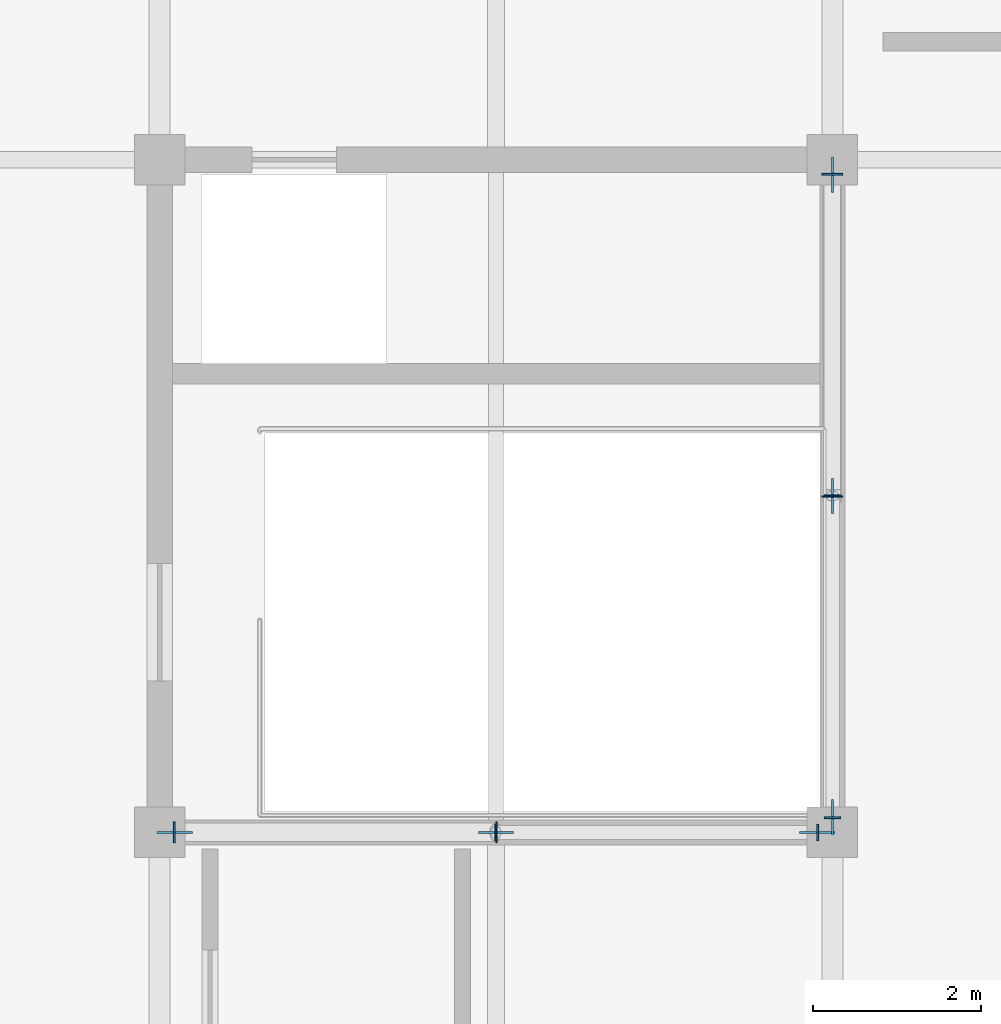
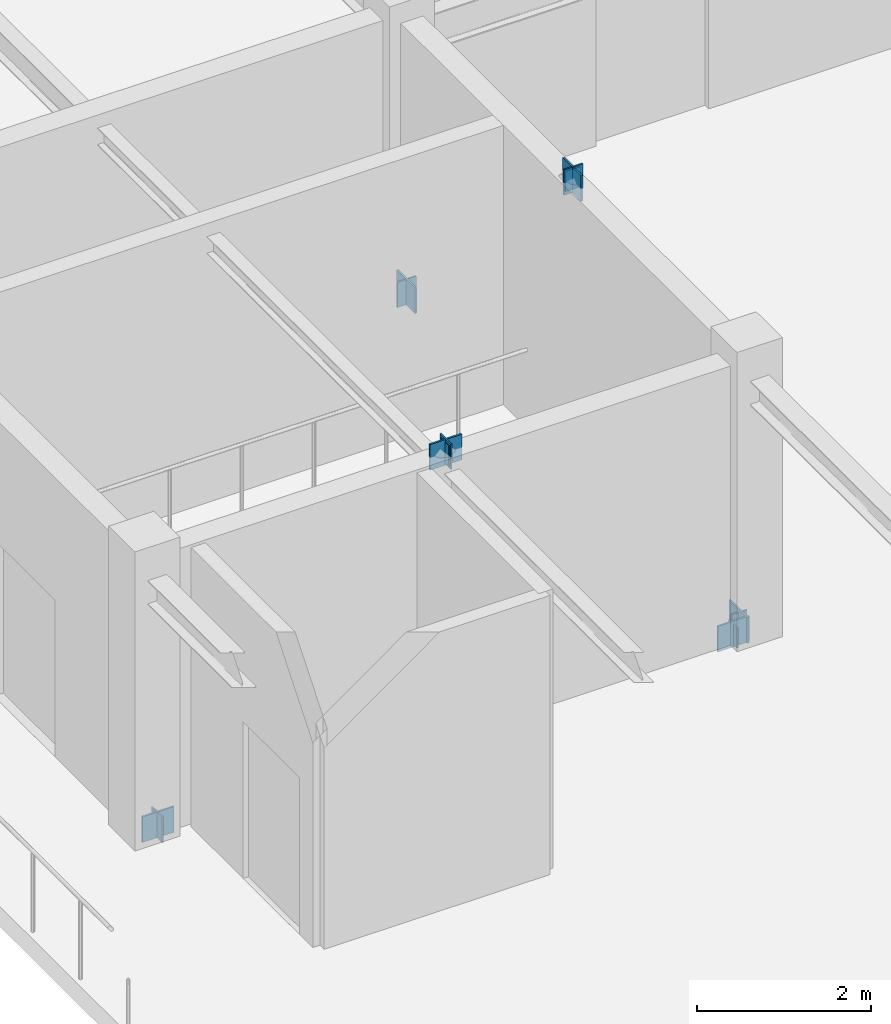
# One storey, part 66 of 88: 14 plates.
"""IFC4 building model written with IfcOpenShell, lengths in metres."""

import ifcopenshell
import ifcopenshell.guid

model = None  # the IFC model being written
_history = None  # IfcOwnerHistory: only IFC2X3 demands one
_inside = {}  # id of a spatial element -> (the spatial element, [elements in it])
_under = {}  # id of a project, library or spatial element -> (it, [spatial elements below it])
_declared = {}  # id of a project -> (the project, [libraries it declares])
_typed = {}  # id of a type object -> (the type object, [elements of that type])
_made_of = {}  # id of a material, layer set ... -> (it, [elements and type objects made of it])


def new_model(schema):
    """Start an empty IFC model of exactly this schema.

    Asked for "IFC4X3", IfcOpenShell would pick the latest addendum, in which some entities
    have other attributes; the version numbers below select the first issue.
    IFC2X3 requires an IfcOwnerHistory on every rooted entity: one is made here for all.
    """
    global model, _history
    if schema == "IFC4X3":
        model = ifcopenshell.file(schema_version=(4, 3, 0, 0))
    else:
        model = ifcopenshell.file(schema=schema)
    _inside.clear()
    _under.clear()
    _declared.clear()
    _typed.clear()
    _made_of.clear()
    _history = None
    if model.schema == "IFC2X3":
        org = make("IfcOrganization", Name="unknown")
        user = make(
            "IfcPersonAndOrganization",
            ThePerson=make("IfcPerson", FamilyName="unknown"),
            TheOrganization=org,
        )
        app = make(
            "IfcApplication",
            ApplicationDeveloper=org,
            Version="unknown",
            ApplicationFullName="unknown",
            ApplicationIdentifier="unknown",
        )
        _history = make(
            "IfcOwnerHistory",
            OwningUser=user,
            OwningApplication=app,
            ChangeAction="ADDED",
            CreationDate=0,
        )
    return model


def make(cls, **values):
    """One entity of the class cls with the attributes given. An attribute that is None is left unset."""
    return model.create_entity(
        cls, **{name: value for name, value in values.items() if value is not None}
    )


def rooted(cls, **values):
    """An entity with a GlobalId (a new one), such as an element, a storey or a relation."""
    return make(cls, GlobalId=ifcopenshell.guid.new(), OwnerHistory=_history, **values)


def si_unit(unit_type, name, prefix=None):
    """IfcSIUnit, for example si_unit("LENGTHUNIT", "METRE", prefix="MILLI")."""
    return make("IfcSIUnit", UnitType=unit_type, Prefix=prefix, Name=name)


def assignment(units):
    """IfcUnitAssignment: the units of a project."""
    return None if units is None else make("IfcUnitAssignment", Units=units)


def point(xyz):
    """IfcCartesianPoint."""
    return None if xyz is None else make("IfcCartesianPoint", Coordinates=xyz)


def direction(xyz):
    """IfcDirection."""
    return None if xyz is None else make("IfcDirection", DirectionRatios=xyz)


def frame(location, z_axis=None, x_axis=None):
    """IfcAxis2Placement3D, a coordinate frame: its origin and axes. An axis left out is left unset."""
    return make(
        "IfcAxis2Placement3D",
        Location=point(location),
        Axis=direction(z_axis),
        RefDirection=direction(x_axis),
    )


def frame_2d(location, x_axis=None):
    """IfcAxis2Placement2D, a coordinate frame in the plane: its origin and x axis."""
    return make(
        "IfcAxis2Placement2D", Location=point(location), RefDirection=direction(x_axis)
    )


def origin():
    """The frame at (0, 0, 0) with its axes left unset."""
    return frame((0.0, 0.0, 0.0))


def origin_2d():
    """The frame at (0, 0) in the plane with its x axis left unset."""
    return frame_2d((0.0, 0.0))


def place(relative_to, where):
    """IfcLocalPlacement: puts the frame where relative to a parent placement (None: the world)."""
    return make(
        "IfcLocalPlacement", PlacementRelTo=relative_to, RelativePlacement=where
    )


def context(
    kind, dimensions, precision=None, world=None, true_north=None, identifier=None
):
    """IfcGeometricRepresentationContext, for example the 3D "Model" context."""
    return make(
        "IfcGeometricRepresentationContext",
        ContextIdentifier=identifier,
        ContextType=kind,
        CoordinateSpaceDimension=dimensions,
        Precision=precision,
        WorldCoordinateSystem=world,
        TrueNorth=true_north,
    )


def subcontext(parent, identifier, kind, view, scale=None):
    """IfcGeometricRepresentationSubContext, for example "Body" below "Model"."""
    return make(
        "IfcGeometricRepresentationSubContext",
        ContextIdentifier=identifier,
        ContextType=kind,
        ParentContext=parent,
        TargetScale=scale,
        TargetView=view,
    )


def project(units=None, contexts=None):
    """IfcProject with its units and contexts."""
    return rooted(
        "IfcProject",
        Name="project",
        RepresentationContexts=contexts,
        UnitsInContext=assignment(units),
    )


def spatial(cls, under=None, at=None, **own):
    """A site, building, storey or space (cls), placed at a placement, below another one or the project."""
    s = rooted(cls, ObjectPlacement=at, **own)
    if under is not None:
        _under.setdefault(under.id(), (under, []))[1].append(s)
    return s


def profile(cls, at=None, kind="AREA", **sizes):
    """A parametric profile (cls). Its sizes go by their IFC names, for example OverallWidth=200.0."""
    return make(cls, ProfileType=kind, Position=at, **sizes)


def rectangle(**sizes):
    """IfcRectangleProfileDef."""
    return profile("IfcRectangleProfileDef", **sizes)


def extrude(swept, where, along, depth):
    """IfcExtrudedAreaSolid: the profile swept, set in the frame where, extruded along a direction by depth."""
    return make(
        "IfcExtrudedAreaSolid",
        SweptArea=swept,
        Position=where,
        ExtrudedDirection=direction(along),
        Depth=depth,
    )


def shape(context_of_items, identifier, shape_type, items):
    """IfcShapeRepresentation: the items that make up one representation, for example the "Body"."""
    return make(
        "IfcShapeRepresentation",
        ContextOfItems=context_of_items,
        RepresentationIdentifier=identifier,
        RepresentationType=shape_type,
        Items=items,
    )


def material(Name=None, Category=None):
    """IfcMaterial."""
    return make("IfcMaterial", Name=Name, Category=Category)


def layer(
    of_material, thickness, ventilated=None, Name=None, Category=None, Priority=None
):
    """IfcMaterialLayer: one layer of a wall or slab, of a material (None: an air gap)."""
    return make(
        "IfcMaterialLayer",
        Material=of_material,
        LayerThickness=thickness,
        IsVentilated=ventilated,
        Name=Name,
        Category=Category,
        Priority=Priority,
    )


def layer_set(layers, Name=None):
    """IfcMaterialLayerSet."""
    return make("IfcMaterialLayerSet", MaterialLayers=layers, LayerSetName=Name)


def made_of(thing, what):
    """Note that an element or type object is made of a material, layer set ...; save() writes the relation."""
    if what is not None:
        _made_of.setdefault(what.id(), (what, []))[1].append(thing)
    return thing


def type_object(cls, material=None, **own):
    """A type object (cls), such as IfcWallType, which elements share."""
    return made_of(rooted(cls, **own), material)


def element(
    cls,
    number,
    at=None,
    inside=None,
    cuts=None,
    type_object=None,
    material=None,
    context=None,
    identifier="Body",
    shape_type=None,
    held_by="IfcProductDefinitionShape",
    body=None,
    shapes=None,
    **own,
):
    """One element of the class cls, such as IfcWall. Its Tag is "e" and its number.

    at: its placement. inside: the storey or other place that contains it. cuts: it is an
    opening in that element (IfcRelVoidsElement). A single representation is given by context,
    identifier, shape_type and body (its items); several are given by shapes. held_by: the class
    of the entity that holds the representations. save() writes the other relations.
    """
    e = rooted(cls, Tag="e%d" % number, ObjectPlacement=at, **own)
    if body is not None:
        shapes = [shape(context, identifier, shape_type, body)]
    if shapes is not None:
        e.Representation = make(held_by, Representations=shapes)
    if inside is not None:
        _inside.setdefault(inside.id(), (inside, []))[1].append(e)
    if cuts is not None:
        rooted(
            "IfcRelVoidsElement", RelatingBuildingElement=cuts, RelatedOpeningElement=e
        )
    if type_object is not None:
        _typed.setdefault(type_object.id(), (type_object, []))[1].append(e)
    return made_of(e, material)


def aggregate(whole, parts):
    """IfcRelAggregates: a whole, such as a stair, and the parts it consists of."""
    return rooted("IfcRelAggregates", RelatingObject=whole, RelatedObjects=parts)


def save(model, path):
    """Write the relations noted so far, then the file.

    IfcRelAggregates (storeys below a building ...), IfcRelContainedInSpatialStructure (elements
    in a storey), IfcRelDefinesByType, IfcRelAssociatesMaterial and IfcRelDeclares: one each for
    every whole, place, type object, material and project.
    """
    for whole, parts in _under.values():
        aggregate(whole, parts)
    for where, things in _inside.values():
        rooted(
            "IfcRelContainedInSpatialStructure",
            RelatedElements=things,
            RelatingStructure=where,
        )
    for kind, things in _typed.values():
        rooted("IfcRelDefinesByType", RelatedObjects=things, RelatingType=kind)
    for what, things in _made_of.values():
        rooted("IfcRelAssociatesMaterial", RelatedObjects=things, RelatingMaterial=what)
    for by, libraries in _declared.values():
        rooted("IfcRelDeclares", RelatingContext=by, RelatedDefinitions=libraries)
    model.write(path)


model = new_model("IFC4")

# Units and contexts
model_context = context("Model", 3, precision=1e-05, world=origin(), true_north=direction((0.0, 1.0)))
body_context = subcontext(model_context, "Body", "Model", "MODEL_VIEW")
ifc_project = project(units=[si_unit("LENGTHUNIT", "METRE"), si_unit("AREAUNIT", "SQUARE_METRE"), si_unit("VOLUMEUNIT", "CUBIC_METRE"), si_unit("PLANEANGLEUNIT", "RADIAN"), si_unit("MASSUNIT", "GRAM", prefix="KILO")], contexts=[model_context])

# Site, building, storey
site_placement = place(None, origin())
site = spatial("IfcSite", under=ifc_project, at=site_placement, CompositionType="ELEMENT")
building_placement = place(site_placement, origin())
building = spatial("IfcBuilding", under=site, at=building_placement, Name="Zhaolan Boulevard Law Courts", CompositionType="ELEMENT")
storey_placement = place(building_placement, frame((0.0, 0.0, 16.199951171875)))
storey = spatial("IfcBuildingStorey", under=building, at=storey_placement, Name="L03", CompositionType="ELEMENT", Elevation=16.199951171875)

# Plates
ifc_material_1 = material(Name="Structural steel Q355B", Category="steel")
ifc_layer_1 = layer(ifc_material_1, 0.02392578125)
ifc_layer_set_1 = layer_set([ifc_layer_1])
plate_type_1 = type_object("IfcPlateType", Name="BRACE GUSSET PLATE 24", PredefinedType="SHEET", material=ifc_layer_set_1)
for number, where, z_axis, x_axis, name in (
    (1, (84.179931640625, 70.0, -0.14990234375), (0.0, 0.0, 1.0), (1.0, 0.0, 0.0), "Brace Gusset Connection Plate GP-T1-L03-SA1"),
    (2, (91.820068359375, 70.0, -0.14990234375), (0.0, 0.0, 1.0), (1.0, 0.0, 0.0), "Brace Gusset Connection Plate GP-T1-L03-SA2"),
    (3, (88.0, 70.0, 3.740234375), (0.0, 0.0, 1.0), (1.0, 0.0, 0.0), "Brace Gusset Connection Plate GP-T1-L03-SAPX"),
    (4, (92.0, 70.179931640625, -0.14990234375), (0.0, 0.0, 1.0), (0.0, 1.0, 0.0), "Brace Gusset Connection Plate GP-T1-L03-EA1"),
    (5, (92.0, 77.820068359375, -0.14990234375), (0.0, 0.0, 1.0), (0.0, 1.0, 0.0), "Brace Gusset Connection Plate GP-T1-L03-EA2"),
    (6, (92.0, 74.0, 3.740234375), (0.0, 0.0, 1.0), (0.0, 1.0, 0.0), "Brace Gusset Connection Plate GP-T1-L03-EAPX"),
):
    element("IfcPlate", number, at=place(storey_placement, frame(where, z_axis=z_axis, x_axis=x_axis)), inside=storey, type_object=plate_type_1, Name=name, PredefinedType="SHEET", context=body_context, shape_type="SweptSolid", body=[
        extrude(rectangle(XDim=0.419921875, YDim=0.02392578125, at=origin_2d()), origin(), (0.0, 0.0, 1.0), 0.360107421875),
    ])
ifc_material_2 = material(Name="Structural steel Q355B", Category="steel")
ifc_layer_2 = layer(ifc_material_2, 0.02001953125)
ifc_layer_set_2 = layer_set([ifc_layer_2])
plate_type_2 = type_object("IfcPlateType", Name="END CAP PLATE 20", PredefinedType="SHEET", material=ifc_layer_set_2)
for number, where, z_axis, x_axis, name in (
    (7, (84.17431640625, 70.0, -0.153076171875), (0.0, 0.0, 1.0), (1.0, 0.0, 0.0), "Hollow Section End-Cap Plate ECP-1303"),
    (8, (88.005615234375, 70.0, 3.748291015625), (0.0, 0.0, 1.0), (1.0, 0.0, 0.0), "Hollow Section End-Cap Plate ECP-1304"),
):
    element("IfcPlate", number, at=place(storey_placement, frame(where, z_axis=z_axis, x_axis=x_axis)), inside=storey, type_object=plate_type_2, Name=name, PredefinedType="SHEET", context=body_context, shape_type="SweptSolid", body=[
        extrude(rectangle(XDim=0.02001953125, YDim=0.2490234375, at=origin_2d()), origin(), (0.0, 0.0, 1.0), 0.35498046875),
    ])
for number, where, z_axis, x_axis, name in (
    (9, (91.82568359375, 70.0, -0.1171875), (0.0, 0.0, 1.0), (-1.0, 0.0, 0.0), "Hollow Section End-Cap Plate ECP-1305"),
    (10, (87.994384765625, 70.0, 3.7841796875), (0.0, 0.0, 1.0), (-1.0, 0.0, 0.0), "Hollow Section End-Cap Plate ECP-1306"),
    (11, (92.0, 70.17431640625, -0.1171875), (0.0, 0.0, 1.0), (0.0, 1.0, 0.0), "Hollow Section End-Cap Plate ECP-1307"),
    (12, (92.0, 74.005615234375, 3.7841796875), (0.0, 0.0, 1.0), (0.0, 1.0, 0.0), "Hollow Section End-Cap Plate ECP-1308"),
):
    element("IfcPlate", number, at=place(storey_placement, frame(where, z_axis=z_axis, x_axis=x_axis)), inside=storey, type_object=plate_type_2, Name=name, PredefinedType="SHEET", context=body_context, shape_type="SweptSolid", body=[
        extrude(rectangle(XDim=0.02001953125, YDim=0.197998046875, at=origin_2d()), origin(), (0.0, 0.0, 1.0), 0.282958984375),
    ])
for number, where, z_axis, x_axis, name in (
    (13, (92.0, 77.82568359375, -0.154052734375), (0.0, 0.0, 1.0), (0.0, -1.0, 0.0), "Hollow Section End-Cap Plate ECP-1309"),
    (14, (92.0, 73.994384765625, 3.747314453125), (0.0, 0.0, 1.0), (0.0, -1.0, 0.0), "Hollow Section End-Cap Plate ECP-1310"),
):
    element("IfcPlate", number, at=place(storey_placement, frame(where, z_axis=z_axis, x_axis=x_axis)), inside=storey, type_object=plate_type_2, Name=name, PredefinedType="SHEET", context=body_context, shape_type="SweptSolid", body=[
        extrude(rectangle(XDim=0.02001953125, YDim=0.25, at=origin_2d()), origin(), (0.0, 0.0, 1.0), 0.35693359375),
    ])

save(model, "model.ifc")
